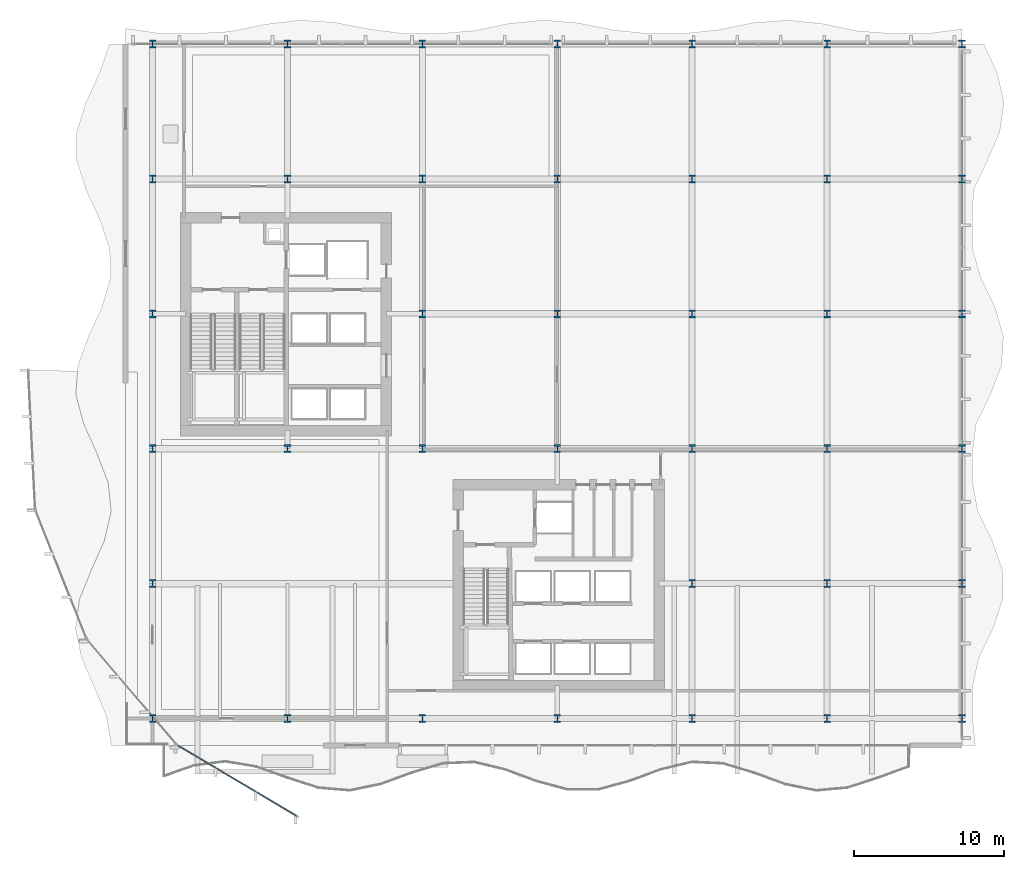
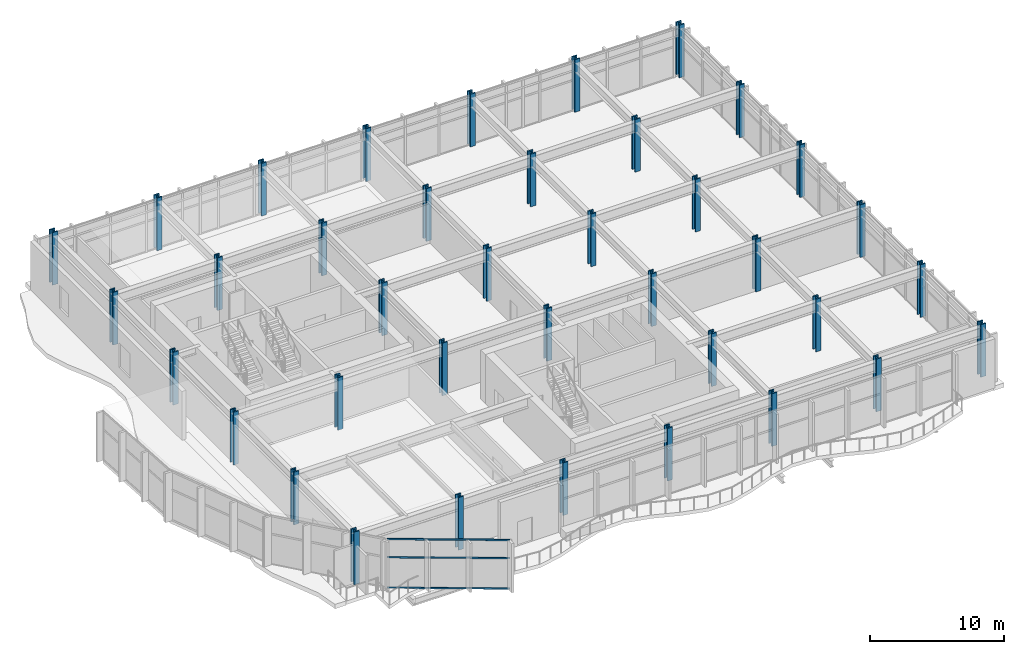
# One storey, part 1 of 29: 38 columns, 3 members, 1 element without a shape of its own.
"""IFC4 building model written with IfcOpenShell, lengths in metres."""

import ifcopenshell
import ifcopenshell.guid

model = None  # the IFC model being written
_history = None  # IfcOwnerHistory: only IFC2X3 demands one
_inside = {}  # id of a spatial element -> (the spatial element, [elements in it])
_under = {}  # id of a project, library or spatial element -> (it, [spatial elements below it])
_declared = {}  # id of a project -> (the project, [libraries it declares])
_typed = {}  # id of a type object -> (the type object, [elements of that type])
_made_of = {}  # id of a material, layer set ... -> (it, [elements and type objects made of it])


def new_model(schema):
    """Start an empty IFC model of exactly this schema.

    Asked for "IFC4X3", IfcOpenShell would pick the latest addendum, in which some entities
    have other attributes; the version numbers below select the first issue.
    IFC2X3 requires an IfcOwnerHistory on every rooted entity: one is made here for all.
    """
    global model, _history
    if schema == "IFC4X3":
        model = ifcopenshell.file(schema_version=(4, 3, 0, 0))
    else:
        model = ifcopenshell.file(schema=schema)
    _inside.clear()
    _under.clear()
    _declared.clear()
    _typed.clear()
    _made_of.clear()
    _history = None
    if model.schema == "IFC2X3":
        org = make("IfcOrganization", Name="unknown")
        user = make(
            "IfcPersonAndOrganization",
            ThePerson=make("IfcPerson", FamilyName="unknown"),
            TheOrganization=org,
        )
        app = make(
            "IfcApplication",
            ApplicationDeveloper=org,
            Version="unknown",
            ApplicationFullName="unknown",
            ApplicationIdentifier="unknown",
        )
        _history = make(
            "IfcOwnerHistory",
            OwningUser=user,
            OwningApplication=app,
            ChangeAction="ADDED",
            CreationDate=0,
        )
    return model


def make(cls, **values):
    """One entity of the class cls with the attributes given. An attribute that is None is left unset."""
    return model.create_entity(
        cls, **{name: value for name, value in values.items() if value is not None}
    )


def rooted(cls, **values):
    """An entity with a GlobalId (a new one), such as an element, a storey or a relation."""
    return make(cls, GlobalId=ifcopenshell.guid.new(), OwnerHistory=_history, **values)


def si_unit(unit_type, name, prefix=None):
    """IfcSIUnit, for example si_unit("LENGTHUNIT", "METRE", prefix="MILLI")."""
    return make("IfcSIUnit", UnitType=unit_type, Prefix=prefix, Name=name)


def assignment(units):
    """IfcUnitAssignment: the units of a project."""
    return None if units is None else make("IfcUnitAssignment", Units=units)


def point(xyz):
    """IfcCartesianPoint."""
    return None if xyz is None else make("IfcCartesianPoint", Coordinates=xyz)


def direction(xyz):
    """IfcDirection."""
    return None if xyz is None else make("IfcDirection", DirectionRatios=xyz)


def frame(location, z_axis=None, x_axis=None):
    """IfcAxis2Placement3D, a coordinate frame: its origin and axes. An axis left out is left unset."""
    return make(
        "IfcAxis2Placement3D",
        Location=point(location),
        Axis=direction(z_axis),
        RefDirection=direction(x_axis),
    )


def frame_2d(location, x_axis=None):
    """IfcAxis2Placement2D, a coordinate frame in the plane: its origin and x axis."""
    return make(
        "IfcAxis2Placement2D", Location=point(location), RefDirection=direction(x_axis)
    )


def origin():
    """The frame at (0, 0, 0) with its axes left unset."""
    return frame((0.0, 0.0, 0.0))


def origin_2d():
    """The frame at (0, 0) in the plane with its x axis left unset."""
    return frame_2d((0.0, 0.0))


def place(relative_to, where):
    """IfcLocalPlacement: puts the frame where relative to a parent placement (None: the world)."""
    return make(
        "IfcLocalPlacement", PlacementRelTo=relative_to, RelativePlacement=where
    )


def context(
    kind, dimensions, precision=None, world=None, true_north=None, identifier=None
):
    """IfcGeometricRepresentationContext, for example the 3D "Model" context."""
    return make(
        "IfcGeometricRepresentationContext",
        ContextIdentifier=identifier,
        ContextType=kind,
        CoordinateSpaceDimension=dimensions,
        Precision=precision,
        WorldCoordinateSystem=world,
        TrueNorth=true_north,
    )


def subcontext(parent, identifier, kind, view, scale=None):
    """IfcGeometricRepresentationSubContext, for example "Body" below "Model"."""
    return make(
        "IfcGeometricRepresentationSubContext",
        ContextIdentifier=identifier,
        ContextType=kind,
        ParentContext=parent,
        TargetScale=scale,
        TargetView=view,
    )


def project(units=None, contexts=None):
    """IfcProject with its units and contexts."""
    return rooted(
        "IfcProject",
        Name="project",
        RepresentationContexts=contexts,
        UnitsInContext=assignment(units),
    )


def spatial(cls, under=None, at=None, **own):
    """A site, building, storey or space (cls), placed at a placement, below another one or the project."""
    s = rooted(cls, ObjectPlacement=at, **own)
    if under is not None:
        _under.setdefault(under.id(), (under, []))[1].append(s)
    return s


def profile(cls, at=None, kind="AREA", **sizes):
    """A parametric profile (cls). Its sizes go by their IFC names, for example OverallWidth=200.0."""
    return make(cls, ProfileType=kind, Position=at, **sizes)


def hollow_rectangle(**sizes):
    """IfcRectangleHollowProfileDef."""
    return profile("IfcRectangleHollowProfileDef", **sizes)


def i_section(**sizes):
    """IfcIShapeProfileDef."""
    return profile("IfcIShapeProfileDef", **sizes)


def extrude(swept, where, along, depth):
    """IfcExtrudedAreaSolid: the profile swept, set in the frame where, extruded along a direction by depth."""
    return make(
        "IfcExtrudedAreaSolid",
        SweptArea=swept,
        Position=where,
        ExtrudedDirection=direction(along),
        Depth=depth,
    )


def shape(context_of_items, identifier, shape_type, items):
    """IfcShapeRepresentation: the items that make up one representation, for example the "Body"."""
    return make(
        "IfcShapeRepresentation",
        ContextOfItems=context_of_items,
        RepresentationIdentifier=identifier,
        RepresentationType=shape_type,
        Items=items,
    )


def material(Name=None, Category=None):
    """IfcMaterial."""
    return make("IfcMaterial", Name=Name, Category=Category)


def layer(
    of_material, thickness, ventilated=None, Name=None, Category=None, Priority=None
):
    """IfcMaterialLayer: one layer of a wall or slab, of a material (None: an air gap)."""
    return make(
        "IfcMaterialLayer",
        Material=of_material,
        LayerThickness=thickness,
        IsVentilated=ventilated,
        Name=Name,
        Category=Category,
        Priority=Priority,
    )


def layer_set(layers, Name=None):
    """IfcMaterialLayerSet."""
    return make("IfcMaterialLayerSet", MaterialLayers=layers, LayerSetName=Name)


def material_profile(
    of_material, cross_section, Name=None, Category=None, Priority=None
):
    """IfcMaterialProfile: a cross section and its material."""
    return make(
        "IfcMaterialProfile",
        Name=Name,
        Material=of_material,
        Profile=cross_section,
        Priority=Priority,
        Category=Category,
    )


def profile_set(profiles, Name=None, composite=None):
    """IfcMaterialProfileSet."""
    return make(
        "IfcMaterialProfileSet",
        Name=Name,
        MaterialProfiles=profiles,
        CompositeProfile=composite,
    )


def made_of(thing, what):
    """Note that an element or type object is made of a material, layer set ...; save() writes the relation."""
    if what is not None:
        _made_of.setdefault(what.id(), (what, []))[1].append(thing)
    return thing


def type_object(cls, material=None, **own):
    """A type object (cls), such as IfcWallType, which elements share."""
    return made_of(rooted(cls, **own), material)


def element(
    cls,
    number,
    at=None,
    inside=None,
    cuts=None,
    type_object=None,
    material=None,
    context=None,
    identifier="Body",
    shape_type=None,
    held_by="IfcProductDefinitionShape",
    body=None,
    shapes=None,
    **own,
):
    """One element of the class cls, such as IfcWall. Its Tag is "e" and its number.

    at: its placement. inside: the storey or other place that contains it. cuts: it is an
    opening in that element (IfcRelVoidsElement). A single representation is given by context,
    identifier, shape_type and body (its items); several are given by shapes. held_by: the class
    of the entity that holds the representations. save() writes the other relations.
    """
    e = rooted(cls, Tag="e%d" % number, ObjectPlacement=at, **own)
    if body is not None:
        shapes = [shape(context, identifier, shape_type, body)]
    if shapes is not None:
        e.Representation = make(held_by, Representations=shapes)
    if inside is not None:
        _inside.setdefault(inside.id(), (inside, []))[1].append(e)
    if cuts is not None:
        rooted(
            "IfcRelVoidsElement", RelatingBuildingElement=cuts, RelatedOpeningElement=e
        )
    if type_object is not None:
        _typed.setdefault(type_object.id(), (type_object, []))[1].append(e)
    return made_of(e, material)


def aggregate(whole, parts):
    """IfcRelAggregates: a whole, such as a stair, and the parts it consists of."""
    return rooted("IfcRelAggregates", RelatingObject=whole, RelatedObjects=parts)


def save(model, path):
    """Write the relations noted so far, then the file.

    IfcRelAggregates (storeys below a building ...), IfcRelContainedInSpatialStructure (elements
    in a storey), IfcRelDefinesByType, IfcRelAssociatesMaterial and IfcRelDeclares: one each for
    every whole, place, type object, material and project.
    """
    for whole, parts in _under.values():
        aggregate(whole, parts)
    for where, things in _inside.values():
        rooted(
            "IfcRelContainedInSpatialStructure",
            RelatedElements=things,
            RelatingStructure=where,
        )
    for kind, things in _typed.values():
        rooted("IfcRelDefinesByType", RelatedObjects=things, RelatingType=kind)
    for what, things in _made_of.values():
        rooted("IfcRelAssociatesMaterial", RelatedObjects=things, RelatingMaterial=what)
    for by, libraries in _declared.values():
        rooted("IfcRelDeclares", RelatingContext=by, RelatedDefinitions=libraries)
    model.write(path)


model = new_model("IFC4")

# Units and contexts
model_context = context("Model", 3, precision=1e-05, world=origin(), true_north=direction((0.0, 1.0)))
body_context = subcontext(model_context, "Body", "Model", "MODEL_VIEW")
ifc_project = project(units=[si_unit("LENGTHUNIT", "METRE"), si_unit("AREAUNIT", "SQUARE_METRE"), si_unit("VOLUMEUNIT", "CUBIC_METRE"), si_unit("PLANEANGLEUNIT", "RADIAN"), si_unit("MASSUNIT", "GRAM", prefix="KILO")], contexts=[model_context])

# Site, building, storey
site_placement = place(None, origin())
site = spatial("IfcSite", under=ifc_project, at=site_placement, CompositionType="ELEMENT")
building_placement = place(site_placement, origin())
building = spatial("IfcBuilding", under=site, at=building_placement, Name="Solvaryn Broadcast Tower", CompositionType="ELEMENT")
storey_placement = place(building_placement, frame((0.0, 0.0, 21.199951171875)))
storey = spatial("IfcBuildingStorey", under=building, at=storey_placement, Name="L04", CompositionType="ELEMENT", Elevation=21.199951171875)

# Columns
ifc_material_1 = material(Name="Steel ASTM A913 Grade 65", Category="steel")
ifc_material_profile_1 = material_profile(ifc_material_1, i_section(OverallWidth=0.44189453125, OverallDepth=0.531005859375, WebThickness=0.06591796875, FlangeThickness=0.105712890625, FilletRadius=0.014892578125, at=origin_2d()))
ifc_profile_set_1 = profile_set([ifc_material_profile_1], Name="Steel ASTM A913 Grade 65")
column_type_1 = type_object("IfcColumnType", Name="COL-C02E-W14X605", PredefinedType="COLUMN", material=ifc_profile_set_1)
for number, where, z_axis, x_axis, name in (
    (1, (9.0, 54.0, 0.0), (0.0, 0.0, 1.0), (1.0, 0.0, 0.0), "L04 Column (9.0, 54.0)"),
    (2, (18.0, 54.0, 0.0), (0.0, 0.0, 1.0), (1.0, 0.0, 0.0), "L04 Column (18.0, 54.0)"),
    (3, (27.0, 54.0, 0.0), (0.0, 0.0, 1.0), (1.0, 0.0, 0.0), "L04 Column (27.0, 54.0)"),
    (4, (36.0, 54.0, 0.0), (0.0, 0.0, 1.0), (1.0, 0.0, 0.0), "L04 Column (36.0, 54.0)"),
    (5, (45.0, 54.0, 0.0), (0.0, 0.0, 1.0), (1.0, 0.0, 0.0), "L04 Column (45.0, 54.0)"),
    (6, (54.0, 54.0, 0.0), (0.0, 0.0, 1.0), (1.0, 0.0, 0.0), "L04 Column (54.0, 54.0)"),
    (7, (63.0, 9.0, 0.0), (0.0, 0.0, 1.0), (1.0, 0.0, 0.0), "L04 Column (63.0, 9.0)"),
    (8, (63.0, 18.0, 0.0), (0.0, 0.0, 1.0), (1.0, 0.0, 0.0), "L04 Column (63.0, 18.0)"),
    (9, (63.0, 27.0, 0.0), (0.0, 0.0, 1.0), (1.0, 0.0, 0.0), "L04 Column (63.0, 27.0)"),
    (10, (63.0, 36.0, 0.0), (0.0, 0.0, 1.0), (1.0, 0.0, 0.0), "L04 Column (63.0, 36.0)"),
    (11, (63.0, 45.0, 0.0), (0.0, 0.0, 1.0), (1.0, 0.0, 0.0), "L04 Column (63.0, 45.0)"),
    (12, (63.0, 54.0, 0.0), (0.0, 0.0, 1.0), (1.0, 0.0, 0.0), "L04 Column (63.0, 54.0)"),
):
    element("IfcColumn", number, at=place(storey_placement, frame(where, z_axis=z_axis, x_axis=x_axis)), inside=storey, type_object=column_type_1, Name=name, PredefinedType="COLUMN", context=body_context, shape_type="SweptSolid", body=[
        extrude(i_section(OverallWidth=0.44189453125, OverallDepth=0.531005859375, WebThickness=0.06591796875, FlangeThickness=0.105712890625, FilletRadius=0.014892578125, at=origin_2d()), origin(), (0.0, 0.0, 1.0), 4.800048828125),
    ])
ifc_material_2 = material(Name="Steel ASTM A913 Grade 65", Category="steel")
ifc_material_profile_2 = material_profile(ifc_material_2, i_section(OverallWidth=0.44189453125, OverallDepth=0.531005859375, WebThickness=0.06591796875, FlangeThickness=0.105712890625, FilletRadius=0.014892578125, at=origin_2d()))
ifc_profile_set_2 = profile_set([ifc_material_profile_2], Name="Steel ASTM A913 Grade 65")
column_type_2 = type_object("IfcColumnType", Name="COL-C02I-W14X605", PredefinedType="COLUMN", material=ifc_profile_set_2)
for number, where, z_axis, x_axis, name in (
    (13, (9.0, 9.0, 0.0), (0.0, 0.0, 1.0), (1.0, 0.0, 0.0), "L04 Column (9.0, 9.0)"),
    (14, (9.0, 18.0, 0.0), (0.0, 0.0, 1.0), (1.0, 0.0, 0.0), "L04 Column (9.0, 18.0)"),
    (15, (9.0, 27.0, 0.0), (0.0, 0.0, 1.0), (1.0, 0.0, 0.0), "L04 Column (9.0, 27.0)"),
    (16, (9.0, 36.0, 0.0), (0.0, 0.0, 1.0), (1.0, 0.0, 0.0), "L04 Column (9.0, 36.0)"),
    (17, (9.0, 45.0, 0.0), (0.0, 0.0, 1.0), (1.0, 0.0, 0.0), "L04 Column (9.0, 45.0)"),
    (18, (18.0, 9.0, 0.0), (0.0, 0.0, 1.0), (1.0, 0.0, 0.0), "L04 Column (18.0, 9.0)"),
    (19, (18.0, 27.0, 0.0), (0.0, 0.0, 1.0), (1.0, 0.0, 0.0), "L04 Column (18.0, 27.0)"),
    (20, (18.0, 45.0, 0.0), (0.0, 0.0, 1.0), (1.0, 0.0, 0.0), "L04 Column (18.0, 45.0)"),
    (21, (27.0, 9.0, 0.0), (0.0, 0.0, 1.0), (1.0, 0.0, 0.0), "L04 Column (27.0, 9.0)"),
    (22, (27.0, 27.0, 0.0), (0.0, 0.0, 1.0), (1.0, 0.0, 0.0), "L04 Column (27.0, 27.0)"),
    (23, (27.0, 36.0, 0.0), (0.0, 0.0, 1.0), (1.0, 0.0, 0.0), "L04 Column (27.0, 36.0)"),
    (24, (27.0, 45.0, 0.0), (0.0, 0.0, 1.0), (1.0, 0.0, 0.0), "L04 Column (27.0, 45.0)"),
    (25, (36.0, 9.0, 0.0), (0.0, 0.0, 1.0), (1.0, 0.0, 0.0), "L04 Column (36.0, 9.0)"),
    (26, (36.0, 27.0, 0.0), (0.0, 0.0, 1.0), (1.0, 0.0, 0.0), "L04 Column (36.0, 27.0)"),
    (27, (36.0, 36.0, 0.0), (0.0, 0.0, 1.0), (1.0, 0.0, 0.0), "L04 Column (36.0, 36.0)"),
    (28, (36.0, 45.0, 0.0), (0.0, 0.0, 1.0), (1.0, 0.0, 0.0), "L04 Column (36.0, 45.0)"),
    (29, (45.0, 9.0, 0.0), (0.0, 0.0, 1.0), (1.0, 0.0, 0.0), "L04 Column (45.0, 9.0)"),
    (30, (45.0, 18.0, 0.0), (0.0, 0.0, 1.0), (1.0, 0.0, 0.0), "L04 Column (45.0, 18.0)"),
    (31, (45.0, 27.0, 0.0), (0.0, 0.0, 1.0), (1.0, 0.0, 0.0), "L04 Column (45.0, 27.0)"),
    (32, (45.0, 36.0, 0.0), (0.0, 0.0, 1.0), (1.0, 0.0, 0.0), "L04 Column (45.0, 36.0)"),
    (33, (45.0, 45.0, 0.0), (0.0, 0.0, 1.0), (1.0, 0.0, 0.0), "L04 Column (45.0, 45.0)"),
    (34, (54.0, 9.0, 0.0), (0.0, 0.0, 1.0), (1.0, 0.0, 0.0), "L04 Column (54.0, 9.0)"),
    (35, (54.0, 18.0, 0.0), (0.0, 0.0, 1.0), (1.0, 0.0, 0.0), "L04 Column (54.0, 18.0)"),
    (36, (54.0, 27.0, 0.0), (0.0, 0.0, 1.0), (1.0, 0.0, 0.0), "L04 Column (54.0, 27.0)"),
    (37, (54.0, 36.0, 0.0), (0.0, 0.0, 1.0), (1.0, 0.0, 0.0), "L04 Column (54.0, 36.0)"),
    (38, (54.0, 45.0, 0.0), (0.0, 0.0, 1.0), (1.0, 0.0, 0.0), "L04 Column (54.0, 45.0)"),
):
    element("IfcColumn", number, at=place(storey_placement, frame(where, z_axis=z_axis, x_axis=x_axis)), inside=storey, type_object=column_type_2, Name=name, PredefinedType="COLUMN", context=body_context, shape_type="SweptSolid", body=[
        extrude(i_section(OverallWidth=0.44189453125, OverallDepth=0.531005859375, WebThickness=0.06591796875, FlangeThickness=0.105712890625, FilletRadius=0.014892578125, at=origin_2d()), origin(), (0.0, 0.0, 1.0), 4.800048828125),
    ])

# Curtain wall, members
ifc_material_3 = material(Name="Aluminium and Terracotta Unitised Curtain Wall", Category="masonry")
ifc_layer = layer(ifc_material_3, 0.219970703125)
ifc_layer_set = layer_set([ifc_layer], Name="CW-SYS1-PODIUM")
curtain_wall_type = type_object("IfcCurtainWallType", Name="CW-SYS1-PODIUM", PredefinedType="NOTDEFINED", material=ifc_layer_set)
curtain_wall_placement = place(storey_placement, origin())
curtain_wall = element("IfcCurtainWall", 39, at=curtain_wall_placement, inside=storey, type_object=curtain_wall_type, Name="L04 Podium Curtain Wall DC4", PredefinedType="NOTDEFINED")
ifc_material_4 = material(Name="Anodised Aluminium 6063-T6", Category="aluminium")
ifc_material_profile_3 = material_profile(ifc_material_4, hollow_rectangle(XDim=0.06494140625, YDim=0.14990234375, WallThickness=0.00390625, InnerFilletRadius=0.00390625, OuterFilletRadius=0.008056640625, at=origin_2d()))
ifc_profile_set_3 = profile_set([ifc_material_profile_3], Name="Anodised Aluminium 6063-T6")
member_type = type_object("IfcMemberType", Name="CW-TRN-150", PredefinedType="USERDEFINED", material=ifc_profile_set_3)
member_1_placement = place(storey_placement, frame((10.70263671875, 7.1884765625, 0.030029296875), z_axis=(0.859784382706, -0.510657238522, 0.0), x_axis=(0.510657238522, 0.859784382706, 0.0)))
member_1 = element("IfcMember", 40, at=member_1_placement, type_object=member_type, Name="CWS1 transom 1.1", ObjectType="TRANSOM", PredefinedType="USERDEFINED", context=body_context, shape_type="SweptSolid", body=[
    extrude(hollow_rectangle(XDim=0.06494140625, YDim=0.14990234375, WallThickness=0.00390625, InnerFilletRadius=0.00390625, OuterFilletRadius=0.008056640625, at=origin_2d()), origin(), (0.0, 0.0, 1.0), 9.18798828125),
])
member_2_placement = place(storey_placement, frame((10.70263671875, 7.1884765625, 2.800048828125), z_axis=(0.859784382706, -0.510657238522, 0.0), x_axis=(0.510657238522, 0.859784382706, 0.0)))
member_2 = element("IfcMember", 41, at=member_2_placement, type_object=member_type, Name="CWS1 transom 1.2", ObjectType="TRANSOM", PredefinedType="USERDEFINED", context=body_context, shape_type="SweptSolid", body=[
    extrude(hollow_rectangle(XDim=0.06494140625, YDim=0.14990234375, WallThickness=0.00390625, InnerFilletRadius=0.00390625, OuterFilletRadius=0.008056640625, at=origin_2d()), origin(), (0.0, 0.0, 1.0), 9.18798828125),
])
member_3_placement = place(storey_placement, frame((10.70263671875, 7.1884765625, 4.449951171875), z_axis=(0.859784382706, -0.510657238522, 0.0), x_axis=(0.510657238522, 0.859784382706, 0.0)))
member_3 = element("IfcMember", 42, at=member_3_placement, type_object=member_type, Name="CWS1 transom 1.3", ObjectType="TRANSOM", PredefinedType="USERDEFINED", context=body_context, shape_type="SweptSolid", body=[
    extrude(hollow_rectangle(XDim=0.06494140625, YDim=0.14990234375, WallThickness=0.00390625, InnerFilletRadius=0.00390625, OuterFilletRadius=0.008056640625, at=origin_2d()), origin(), (0.0, 0.0, 1.0), 9.18798828125),
])
aggregate(curtain_wall, [member_1, member_2, member_3])

save(model, "model.ifc")
